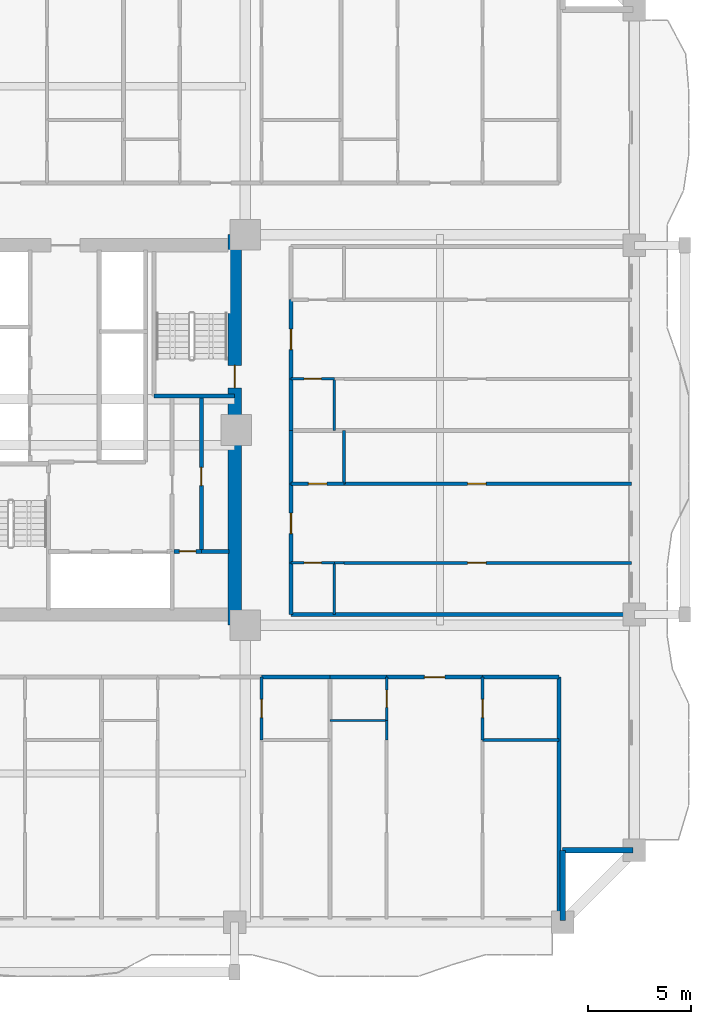
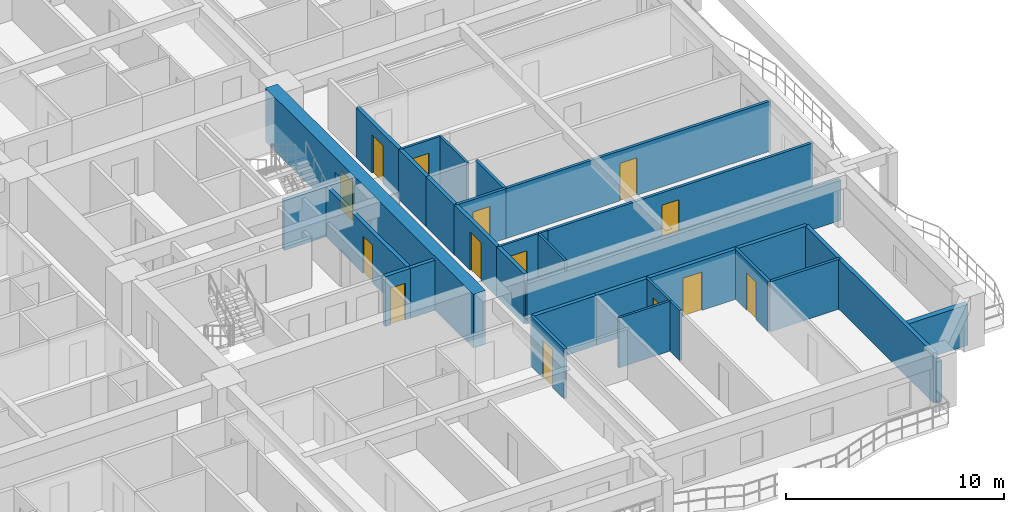
# One storey, part 5 of 16: 33 walls, 14 doors, 14 openings.
"""IFC4 building model written with IfcOpenShell, lengths in metres."""

from ifc_helpers import new_model, si_unit, direction, frame, frame_2d, origin, place, context, subcontext, project, spatial, rectangle, extrude, source, transform, mapped, material, layer, layer_set, type_object, element, fill, save


model = new_model("IFC4")

# Units and contexts
model_context = context("Model", 3, precision=1e-05, world=origin(), true_north=direction((0.0, 1.0)))
body_context = subcontext(model_context, "Body", "Model", "MODEL_VIEW")
ifc_project = project(units=[si_unit("LENGTHUNIT", "METRE"), si_unit("AREAUNIT", "SQUARE_METRE"), si_unit("VOLUMEUNIT", "CUBIC_METRE"), si_unit("PLANEANGLEUNIT", "RADIAN"), si_unit("MASSUNIT", "GRAM", prefix="KILO")], contexts=[model_context])

# Site, building, storey
site_placement = place(None, origin())
site = spatial("IfcSite", under=ifc_project, at=site_placement, CompositionType="ELEMENT")
building_placement = place(site_placement, origin())
building = spatial("IfcBuilding", under=site, at=building_placement, Name="Saelheon Loggia Tower", CompositionType="ELEMENT")
storey_placement = place(building_placement, frame((0.0, 0.0, 64.39990234375)))
storey = spatial("IfcBuildingStorey", under=building, at=storey_placement, Name="L20", CompositionType="ELEMENT", Elevation=64.39990234375)

# Wall, opening, door
ifc_material_1 = material(Name="Concrete C60/75", Category="concrete")
ifc_layer_1 = layer(ifc_material_1, 0.64990234375)
ifc_layer_set_1 = layer_set([ifc_layer_1], Name="Concrete C60/75")
wall_type_1 = type_object("IfcWallType", Name="Wall_CoreShear_650", PredefinedType="SHEAR", material=ifc_layer_set_1)
wall_1_placement = place(storey_placement, frame((44.5, 17.47998046875, 0.0), z_axis=(0.0, 0.0, 1.0), x_axis=(0.0, 1.0, 0.0)))
wall_1 = element("IfcWall", 1, at=wall_1_placement, inside=storey, type_object=wall_type_1, Name="L20 Core Shear Wall East", PredefinedType="SHEAR", context=body_context, shape_type="SweptSolid", body=[
    extrude(rectangle(XDim=19.0400390625, YDim=0.64990234375, at=frame_2d((9.52001953125, 0.0))), origin(), (0.0, 0.0, 1.0), 3.0),
])
opening_1_placement = place(wall_1_placement, frame((12.670166015625, 0.0, 0.0), z_axis=(0.0, 0.0, 1.0), x_axis=(-1.0, 0.0, 0.0)))
opening_1 = element("IfcOpeningElement", 2, at=opening_1_placement, cuts=wall_1, Name="Opening D-FD2", PredefinedType="OPENING", context=body_context, shape_type="SweptSolid", body=[
    extrude(rectangle(XDim=1.10009765625, YDim=2.14990234375, at=frame_2d((0.550048828125, 1.074951171875))), frame((0.0, 0.3369140625, 0.0), z_axis=(0.0, -1.0, 0.0), x_axis=(1.0, 0.0, 0.0)), (0.0, 0.0, 1.0), 0.673828125),
])
ifc_material_2 = material(Name="Galvanised Steel Fire Door", Category="steel")
door_type_1 = type_object("IfcDoorType", Name="Door_Fire_FD60_1100", OperationType="NOTDEFINED", PredefinedType="DOOR", material=ifc_material_2)
shared_shape_1 = source(origin(), body_context, "Body", "SweptSolid", [
    extrude(rectangle(XDim=1.10009765625, YDim=2.14990234375, at=frame_2d((0.550048828125, 1.074951171875))), frame((0.0, 0.02490234375, 0.0), z_axis=(0.0, -1.0, 0.0), x_axis=(1.0, 0.0, 0.0)), (0.0, 0.0, 1.0), 0.050048828125),
])
door_1_placement = place(opening_1_placement, origin())
door_1 = element("IfcDoor", 3, at=door_1_placement, inside=storey, type_object=door_type_1, Name="L20 Stair ST2 Corridor Door", OperationType="SINGLE_SWING_RIGHT", OverallHeight=2.14990234375, OverallWidth=1.10009765625, PredefinedType="DOOR", context=body_context, shape_type="MappedRepresentation", body=[
    mapped(shared_shape_1, transform((0.0, 0.0, 0.0), scale=1.0)),
])
fill(opening_1, door_1)

# Walls
ifc_material_3 = material(Name="Architectural Precast Concrete C40/50", Category="concrete")
ifc_layer_2 = layer(ifc_material_3, 0.280029296875)
ifc_layer_set_2 = layer_set([ifc_layer_2], Name="Architectural Precast Concrete C40/50")
wall_type_2 = type_object("IfcWallType", Name="Wall_Ext_Loggia_280", PredefinedType="SOLIDWALL", material=ifc_layer_set_2)
for number, where, z_axis, x_axis, name in (
    (4, (60.5, 3.080078125, 0.0), (0.0, 0.0, 1.0), (0.0, 1.0, 0.0), "L20 Corner Notch Precast Wall SE1"),
    (5, (60.5, 6.5, 0.0), (0.0, 0.0, 1.0), (1.0, 0.0, 0.0), "L20 Corner Notch Precast Wall SE2"),
):
    element("IfcWall", number, at=place(storey_placement, frame(where, z_axis=z_axis, x_axis=x_axis)), inside=storey, type_object=wall_type_2, Name=name, PredefinedType="SOLIDWALL", context=body_context, shape_type="SweptSolid", body=[
        extrude(rectangle(XDim=3.419921875, YDim=0.280029296875, at=frame_2d((1.7099609375, 0.0))), origin(), (0.0, 0.0, 1.0), 2.280029296875),
    ])

# Wall, opening, door
ifc_material_4 = material(Name="Lightweight Autoclaved Aerated Concrete Block and Acoustic Gypsum", Category="concrete")
ifc_layer_3 = layer(ifc_material_4, 0.14990234375)
ifc_layer_set_3 = layer_set([ifc_layer_3], Name="Lightweight Autoclaved Aerated Concrete Block and Acoustic Gypsum")
wall_type_3 = type_object("IfcWallType", Name="Wall_Part_150", PredefinedType="PARTITIONING", material=ifc_layer_set_3)
wall_2_placement = place(storey_placement, frame((45.820068359375, 14.949951171875, 0.0), z_axis=(0.0, 0.0, 1.0), x_axis=(0.0, -1.0, 0.0)))
wall_2 = element("IfcWall", 6, at=wall_2_placement, inside=storey, type_object=wall_type_3, Name="L20 S Partition U33", PredefinedType="PARTITIONING", context=body_context, shape_type="SweptSolid", body=[
    extrude(rectangle(XDim=3.070068359375, YDim=0.14990234375, at=frame_2d((1.53515625, 0.0))), origin(), (0.0, 0.0, 1.0), 2.7900390625),
])
opening_2_placement = place(wall_2_placement, frame((1.0849609375, 0.0, 0.0)))
opening_2 = element("IfcOpeningElement", 7, at=opening_2_placement, cuts=wall_2, Name="Opening D-IN2", PredefinedType="OPENING", context=body_context, shape_type="SweptSolid", body=[
    extrude(rectangle(XDim=0.89990234375, YDim=2.10009765625, at=frame_2d((0.449951171875, 1.050048828125))), frame((0.0, 0.0869140625, 0.0), z_axis=(0.0, -1.0, 0.0), x_axis=(1.0, 0.0, 0.0)), (0.0, 0.0, 1.0), 0.173828125),
])
ifc_material_5 = material(Name="Engineered Oak Flush Door", Category="timber")
door_type_2 = type_object("IfcDoorType", Name="Door_Int_900", OperationType="NOTDEFINED", PredefinedType="DOOR", material=ifc_material_5)
shared_shape_2 = source(origin(), body_context, "Body", "SweptSolid", [
    extrude(rectangle(XDim=0.89990234375, YDim=2.10009765625, at=frame_2d((0.449951171875, 1.050048828125))), frame((0.0, 0.02490234375, 0.0), z_axis=(0.0, -1.0, 0.0), x_axis=(1.0, 0.0, 0.0)), (0.0, 0.0, 1.0), 0.050048828125),
])
door_2_placement = place(opening_2_placement, origin())
door_2 = element("IfcDoor", 8, at=door_2_placement, inside=storey, type_object=door_type_2, Name="Unit U03 Dressing Closet Door", OperationType="SINGLE_SWING_LEFT", OverallHeight=2.10009765625, OverallWidth=0.89990234375, PredefinedType="DOOR", context=body_context, shape_type="MappedRepresentation", body=[
    mapped(shared_shape_2, transform((0.0, 0.0, 0.0), scale=1.0)),
])
fill(opening_2, door_2)

# Wall
wall_3_placement = place(storey_placement, frame((56.59716796875, 11.8798828125, 0.0), z_axis=(0.0, 0.0, 1.0), x_axis=(1.0, 0.0, 0.0)))
element("IfcWall", 9, at=wall_3_placement, inside=storey, type_object=wall_type_3, Name="L20 S Partition V40", PredefinedType="PARTITIONING", context=body_context, shape_type="SweptSolid", body=[
    extrude(rectangle(XDim=3.722900390625, YDim=0.14990234375, at=frame_2d((1.861328125, 0.0))), origin(), (0.0, 0.0, 1.0), 2.7900390625),
])

# Wall, opening, door
wall_4_placement = place(storey_placement, frame((56.59716796875, 14.949951171875, 0.0), z_axis=(0.0, 0.0, 1.0), x_axis=(0.0, -1.0, 0.0)))
wall_4 = element("IfcWall", 10, at=wall_4_placement, inside=storey, type_object=wall_type_3, Name="L20 S Partition U44", PredefinedType="PARTITIONING", context=body_context, shape_type="SweptSolid", body=[
    extrude(rectangle(XDim=3.070068359375, YDim=0.14990234375, at=frame_2d((1.53515625, 0.0))), origin(), (0.0, 0.0, 1.0), 2.7900390625),
])
opening_3_placement = place(wall_4_placement, frame((1.0849609375, 0.0, 0.0)))
opening_3 = element("IfcOpeningElement", 11, at=opening_3_placement, cuts=wall_4, Name="Opening D-IN2", PredefinedType="OPENING", context=body_context, shape_type="SweptSolid", body=[
    extrude(rectangle(XDim=0.89990234375, YDim=2.10009765625, at=frame_2d((0.449951171875, 1.050048828125))), frame((0.0, 0.0869140625, 0.0), z_axis=(0.0, -1.0, 0.0), x_axis=(1.0, 0.0, 0.0)), (0.0, 0.0, 1.0), 0.173828125),
])
door_3_placement = place(opening_3_placement, origin())
door_3 = element("IfcDoor", 12, at=door_3_placement, inside=storey, type_object=door_type_2, Name="Unit U04 Dressing Closet Door", OperationType="SINGLE_SWING_RIGHT", OverallHeight=2.10009765625, OverallWidth=0.89990234375, PredefinedType="DOOR", context=body_context, shape_type="MappedRepresentation", body=[
    mapped(shared_shape_2, transform((0.0, 0.0, 0.0), scale=1.0)),
])
fill(opening_3, door_3)

# Wall
wall_5_placement = place(storey_placement, frame((49.840087890625, 24.375, 0.0), z_axis=(0.0, 0.0, 1.0), x_axis=(0.0, 1.0, 0.0)))
element("IfcWall", 13, at=wall_5_placement, inside=storey, type_object=wall_type_3, Name="L20 E Partition V07", PredefinedType="PARTITIONING", context=body_context, shape_type="SweptSolid", body=[
    extrude(rectangle(XDim=2.60009765625, YDim=0.14990234375, at=frame_2d((1.300048828125, 0.0))), origin(), (0.0, 0.0, 1.0), 2.7900390625),
])

# Wall, opening, door
wall_6_placement = place(storey_placement, frame((49.840087890625, 20.512939453125, 0.0), z_axis=(0.0, 0.0, 1.0), x_axis=(1.0, 0.0, 0.0)))
wall_6 = element("IfcWall", 14, at=wall_6_placement, inside=storey, type_object=wall_type_3, Name="L20 E Partition U10", PredefinedType="PARTITIONING", context=body_context, shape_type="SweptSolid", body=[
    extrude(rectangle(XDim=14.010009765625, YDim=0.14990234375, at=frame_2d((7.0048828125, 0.0))), origin(), (0.0, 0.0, 1.0), 2.7900390625),
])
opening_4_placement = place(wall_6_placement, frame((6.02880859375, 0.0, 0.0)))
opening_4 = element("IfcOpeningElement", 15, at=opening_4_placement, cuts=wall_6, Name="Opening D-IN2", PredefinedType="OPENING", context=body_context, shape_type="SweptSolid", body=[
    extrude(rectangle(XDim=0.89990234375, YDim=2.10009765625, at=frame_2d((0.449951171875, 1.050048828125))), frame((0.0, 0.0869140625, 0.0), z_axis=(0.0, -1.0, 0.0), x_axis=(1.0, 0.0, 0.0)), (0.0, 0.0, 1.0), 0.173828125),
])
door_4_placement = place(opening_4_placement, origin())
door_4 = element("IfcDoor", 16, at=door_4_placement, inside=storey, type_object=door_type_2, Name="Unit U11 Kitchen Door", OperationType="SINGLE_SWING_LEFT", OverallHeight=2.10009765625, OverallWidth=0.89990234375, PredefinedType="DOOR", context=body_context, shape_type="MappedRepresentation", body=[
    mapped(shared_shape_2, transform((0.0, 0.0, 0.0), scale=1.0)),
])
fill(opening_4, door_4)

wall_7_placement = place(storey_placement, frame((47.25, 24.375, 0.0), z_axis=(0.0, 0.0, 1.0), x_axis=(1.0, 0.0, 0.0)))
wall_7 = element("IfcWall", 17, at=wall_7_placement, inside=storey, type_object=wall_type_3, Name="L20 E Partition U11", PredefinedType="PARTITIONING", context=body_context, shape_type="SweptSolid", body=[
    extrude(rectangle(XDim=2.590087890625, YDim=0.14990234375, at=frame_2d((1.294921875, 0.0))), origin(), (0.0, 0.0, 1.0), 2.7900390625),
])
opening_5_placement = place(wall_7_placement, frame((0.844970703125, 0.0, 0.0)))
opening_5 = element("IfcOpeningElement", 18, at=opening_5_placement, cuts=wall_7, Name="Opening D-IN2", PredefinedType="OPENING", context=body_context, shape_type="SweptSolid", body=[
    extrude(rectangle(XDim=0.89990234375, YDim=2.10009765625, at=frame_2d((0.449951171875, 1.050048828125))), frame((0.0, 0.0869140625, 0.0), z_axis=(0.0, -1.0, 0.0), x_axis=(1.0, 0.0, 0.0)), (0.0, 0.0, 1.0), 0.173828125),
])
door_5_placement = place(opening_5_placement, origin())
door_5 = element("IfcDoor", 19, at=door_5_placement, inside=storey, type_object=door_type_2, Name="Unit U11 Dressing Closet Door", OperationType="SINGLE_SWING_RIGHT", OverallHeight=2.10009765625, OverallWidth=0.89990234375, PredefinedType="DOOR", context=body_context, shape_type="MappedRepresentation", body=[
    mapped(shared_shape_2, transform((0.0, 0.0, 0.0), scale=1.0)),
])
fill(opening_5, door_5)

wall_8_placement = place(storey_placement, frame((49.840087890625, 24.375, 0.0), z_axis=(0.0, 0.0, 1.0), x_axis=(1.0, 0.0, 0.0)))
wall_8 = element("IfcWall", 20, at=wall_8_placement, inside=storey, type_object=wall_type_3, Name="L20 E Partition U12", PredefinedType="PARTITIONING", context=body_context, shape_type="SweptSolid", body=[
    extrude(rectangle(XDim=14.010009765625, YDim=0.14990234375, at=frame_2d((7.0048828125, 0.0))), origin(), (0.0, 0.0, 1.0), 2.7900390625),
])
opening_6_placement = place(wall_8_placement, frame((6.02880859375, 0.0, 0.0)))
opening_6 = element("IfcOpeningElement", 21, at=opening_6_placement, cuts=wall_8, Name="Opening D-IN2", PredefinedType="OPENING", context=body_context, shape_type="SweptSolid", body=[
    extrude(rectangle(XDim=0.89990234375, YDim=2.10009765625, at=frame_2d((0.449951171875, 1.050048828125))), frame((0.0, 0.0869140625, 0.0), z_axis=(0.0, -1.0, 0.0), x_axis=(1.0, 0.0, 0.0)), (0.0, 0.0, 1.0), 0.173828125),
])
door_6_placement = place(opening_6_placement, origin())
door_6 = element("IfcDoor", 22, at=door_6_placement, inside=storey, type_object=door_type_2, Name="Unit U11 Bedroom 1 Door", OperationType="SINGLE_SWING_LEFT", OverallHeight=2.10009765625, OverallWidth=0.89990234375, PredefinedType="DOOR", context=body_context, shape_type="MappedRepresentation", body=[
    mapped(shared_shape_2, transform((0.0, 0.0, 0.0), scale=1.0)),
])
fill(opening_6, door_6)

# Walls
ifc_material_6 = material(Name="Double Acoustic Stud and Fireboard Partition", Category="gypsum")
ifc_layer_4 = layer(ifc_material_6, 0.199951171875)
ifc_layer_set_4 = layer_set([ifc_layer_4], Name="Double Acoustic Stud and Fireboard Partition")
wall_type_4 = type_object("IfcWallType", Name="Wall_Party_200", PredefinedType="PARTITIONING", material=ifc_layer_set_4)
wall_9_placement = place(storey_placement, frame((60.320068359375, 14.949951171875, 0.0), z_axis=(0.0, 0.0, 1.0), x_axis=(0.0, -1.0, 0.0)))
element("IfcWall", 23, at=wall_9_placement, inside=storey, type_object=wall_type_4, Name="L20 S Partition U02", PredefinedType="PARTITIONING", context=body_context, shape_type="SweptSolid", body=[
    extrude(rectangle(XDim=11.800048828125, YDim=0.199951171875, at=frame_2d((5.89990234375, 0.0))), origin(), (0.0, 0.0, 1.0), 2.7900390625),
])
wall_10_placement = place(storey_placement, frame((45.820068359375, 14.949951171875, 0.0), z_axis=(0.0, 0.0, 1.0), x_axis=(1.0, 0.0, 0.0)))
element("IfcWall", 24, at=wall_10_placement, inside=storey, type_object=wall_type_4, Name="L20 S Partition V27", PredefinedType="PARTITIONING", context=body_context, shape_type="SweptSolid", body=[
    extrude(rectangle(XDim=3.33984375, YDim=0.199951171875, at=frame_2d((1.669921875, 0.0))), origin(), (0.0, 0.0, 1.0), 2.7900390625),
])
wall_11_placement = place(storey_placement, frame((49.159912109375, 14.949951171875, 0.0), z_axis=(0.0, 0.0, 1.0), x_axis=(1.0, 0.0, 0.0)))
element("IfcWall", 25, at=wall_11_placement, inside=storey, type_object=wall_type_4, Name="L20 S Partition V36", PredefinedType="PARTITIONING", context=body_context, shape_type="SweptSolid", body=[
    extrude(rectangle(XDim=2.75, YDim=0.199951171875, at=frame_2d((1.375, 0.0))), origin(), (0.0, 0.0, 1.0), 2.7900390625),
])

# Wall, opening, door
wall_12_placement = place(storey_placement, frame((51.909912109375, 14.949951171875, 0.0), z_axis=(0.0, 0.0, 1.0), x_axis=(1.0, 0.0, 0.0)))
wall_12 = element("IfcWall", 26, at=wall_12_placement, inside=storey, type_object=wall_type_4, Name="L20 S Partition V37", PredefinedType="PARTITIONING", context=body_context, shape_type="SweptSolid", body=[
    extrude(rectangle(XDim=4.687255859375, YDim=0.199951171875, at=frame_2d((2.34375, 0.0))), origin(), (0.0, 0.0, 1.0), 2.7900390625),
])
opening_7_placement = place(wall_12_placement, frame((1.843505859375, 0.0, 0.0)))
opening_7 = element("IfcOpeningElement", 27, at=opening_7_placement, cuts=wall_12, Name="Opening D-FD1", PredefinedType="OPENING", context=body_context, shape_type="SweptSolid", body=[
    extrude(rectangle(XDim=1.0, YDim=2.14990234375, at=frame_2d((0.5, 1.074951171875))), frame((0.0, 0.112060546875, 0.0), z_axis=(0.0, -1.0, 0.0), x_axis=(1.0, 0.0, 0.0)), (0.0, 0.0, 1.0), 0.223876953125),
])
ifc_material_7 = material(Name="Fire-Rated Engineered Timber Entrance Door", Category="wood")
door_type_3 = type_object("IfcDoorType", Name="Door_Flat_FD30S", OperationType="NOTDEFINED", PredefinedType="DOOR", material=ifc_material_7)
shared_shape_3 = source(origin(), body_context, "Body", "SweptSolid", [
    extrude(rectangle(XDim=1.0, YDim=2.14990234375, at=frame_2d((0.5, 1.074951171875))), frame((0.0, 0.02490234375, 0.0), z_axis=(0.0, -1.0, 0.0), x_axis=(1.0, 0.0, 0.0)), (0.0, 0.0, 1.0), 0.050048828125),
])
door_7_placement = place(opening_7_placement, origin())
door_7 = element("IfcDoor", 28, at=door_7_placement, inside=storey, type_object=door_type_3, Name="Unit U04 Entrance Door", OperationType="SINGLE_SWING_LEFT", OverallHeight=2.14990234375, OverallWidth=1.0, PredefinedType="DOOR", context=body_context, shape_type="MappedRepresentation", body=[
    mapped(shared_shape_3, transform((0.0, 0.0, 0.0), scale=1.0)),
])
fill(opening_7, door_7)

# Walls
wall_13_placement = place(storey_placement, frame((56.59716796875, 14.949951171875, 0.0), z_axis=(0.0, 0.0, 1.0), x_axis=(1.0, 0.0, 0.0)))
element("IfcWall", 29, at=wall_13_placement, inside=storey, type_object=wall_type_4, Name="L20 S Partition V38", PredefinedType="PARTITIONING", context=body_context, shape_type="SweptSolid", body=[
    extrude(rectangle(XDim=3.722900390625, YDim=0.199951171875, at=frame_2d((1.861328125, 0.0))), origin(), (0.0, 0.0, 1.0), 2.7900390625),
])
wall_14_placement = place(storey_placement, frame((47.25, 18.0, 0.0), z_axis=(0.0, 0.0, 1.0), x_axis=(1.0, 0.0, 0.0)))
element("IfcWall", 30, at=wall_14_placement, inside=storey, type_object=wall_type_4, Name="L20 E Partition U01", PredefinedType="PARTITIONING", context=body_context, shape_type="SweptSolid", body=[
    extrude(rectangle(XDim=16.60009765625, YDim=0.199951171875, at=frame_2d((8.300048828125, 0.0))), origin(), (0.0, 0.0, 1.0), 2.239990234375),
])
wall_15_placement = place(storey_placement, frame((47.25, 18.0, 0.0), z_axis=(0.0, 0.0, 1.0), x_axis=(0.0, 1.0, 0.0)))
element("IfcWall", 31, at=wall_15_placement, inside=storey, type_object=wall_type_4, Name="L20 E Partition V03", PredefinedType="PARTITIONING", context=body_context, shape_type="SweptSolid", body=[
    extrude(rectangle(XDim=2.512939453125, YDim=0.199951171875, at=frame_2d((1.25634765625, 0.0))), origin(), (0.0, 0.0, 1.0), 2.7900390625),
])

# Wall, opening, door
wall_16_placement = place(storey_placement, frame((47.25, 20.512939453125, 0.0), z_axis=(0.0, 0.0, 1.0), x_axis=(0.0, 1.0, 0.0)))
wall_16 = element("IfcWall", 32, at=wall_16_placement, inside=storey, type_object=wall_type_4, Name="L20 E Partition V04", PredefinedType="PARTITIONING", context=body_context, shape_type="SweptSolid", body=[
    extrude(rectangle(XDim=3.862060546875, YDim=0.199951171875, at=frame_2d((1.93115234375, 0.0))), origin(), (0.0, 0.0, 1.0), 2.7900390625),
])
opening_8_placement = place(wall_16_placement, frame((1.430908203125, 0.0, 0.0)))
opening_8 = element("IfcOpeningElement", 33, at=opening_8_placement, cuts=wall_16, Name="Opening D-FD1", PredefinedType="OPENING", context=body_context, shape_type="SweptSolid", body=[
    extrude(rectangle(XDim=1.0, YDim=2.14990234375, at=frame_2d((0.5, 1.074951171875))), frame((0.0, 0.112060546875, 0.0), z_axis=(0.0, -1.0, 0.0), x_axis=(1.0, 0.0, 0.0)), (0.0, 0.0, 1.0), 0.223876953125),
])
door_8_placement = place(opening_8_placement, origin())
door_8 = element("IfcDoor", 34, at=door_8_placement, inside=storey, type_object=door_type_3, Name="Unit U11 Entrance Door", OperationType="SINGLE_SWING_LEFT", OverallHeight=2.14990234375, OverallWidth=1.0, PredefinedType="DOOR", context=body_context, shape_type="MappedRepresentation", body=[
    mapped(shared_shape_3, transform((0.0, 0.0, 0.0), scale=1.0)),
])
fill(opening_8, door_8)

# Walls
wall_17_placement = place(storey_placement, frame((47.25, 24.375, 0.0), z_axis=(0.0, 0.0, 1.0), x_axis=(0.0, 1.0, 0.0)))
element("IfcWall", 35, at=wall_17_placement, inside=storey, type_object=wall_type_4, Name="L20 E Partition V05", PredefinedType="PARTITIONING", context=body_context, shape_type="SweptSolid", body=[
    extrude(rectangle(XDim=2.60009765625, YDim=0.199951171875, at=frame_2d((1.300048828125, 0.0))), origin(), (0.0, 0.0, 1.0), 2.7900390625),
])
wall_18_placement = place(storey_placement, frame((47.25, 26.97509765625, 0.0), z_axis=(0.0, 0.0, 1.0), x_axis=(0.0, 1.0, 0.0)))
element("IfcWall", 36, at=wall_18_placement, inside=storey, type_object=wall_type_4, Name="L20 E Partition V14", PredefinedType="PARTITIONING", context=body_context, shape_type="SweptSolid", body=[
    extrude(rectangle(XDim=2.512939453125, YDim=0.199951171875, at=frame_2d((1.25634765625, 0.0))), origin(), (0.0, 0.0, 1.0), 2.7900390625),
])

# Wall, opening, door
wall_19_placement = place(storey_placement, frame((47.25, 29.488037109375, 0.0), z_axis=(0.0, 0.0, 1.0), x_axis=(0.0, 1.0, 0.0)))
wall_19 = element("IfcWall", 37, at=wall_19_placement, inside=storey, type_object=wall_type_4, Name="L20 E Partition V15", PredefinedType="PARTITIONING", context=body_context, shape_type="SweptSolid", body=[
    extrude(rectangle(XDim=3.862060546875, YDim=0.199951171875, at=frame_2d((1.93115234375, 0.0))), origin(), (0.0, 0.0, 1.0), 2.7900390625),
])
opening_9_placement = place(wall_19_placement, frame((1.430908203125, 0.0, 0.0)))
opening_9 = element("IfcOpeningElement", 38, at=opening_9_placement, cuts=wall_19, Name="Opening D-FD1", PredefinedType="OPENING", context=body_context, shape_type="SweptSolid", body=[
    extrude(rectangle(XDim=1.0, YDim=2.14990234375, at=frame_2d((0.5, 1.074951171875))), frame((0.0, 0.112060546875, 0.0), z_axis=(0.0, -1.0, 0.0), x_axis=(1.0, 0.0, 0.0)), (0.0, 0.0, 1.0), 0.223876953125),
])
door_9_placement = place(opening_9_placement, origin())
door_9 = element("IfcDoor", 39, at=door_9_placement, inside=storey, type_object=door_type_3, Name="Unit U12 Entrance Door", OperationType="SINGLE_SWING_RIGHT", OverallHeight=2.14990234375, OverallWidth=1.0, PredefinedType="DOOR", context=body_context, shape_type="MappedRepresentation", body=[
    mapped(shared_shape_3, transform((0.0, 0.0, 0.0), scale=1.0)),
])
fill(opening_9, door_9)

ifc_material_8 = material(Name="Concrete C40/50", Category="concrete")
ifc_layer_5 = layer(ifc_material_8, 0.199951171875)
ifc_layer_set_5 = layer_set([ifc_layer_5], Name="Concrete C40/50")
wall_type_5 = type_object("IfcWallType", Name="Wall_Shaft_200", PredefinedType="PARTITIONING", material=ifc_layer_set_5)
wall_20_placement = place(storey_placement, frame((41.550048828125, 21.080078125, 0.0), z_axis=(0.0, 0.0, 1.0), x_axis=(1.0, 0.0, 0.0)))
wall_20 = element("IfcWall", 40, at=wall_20_placement, inside=storey, type_object=wall_type_5, Name="CW-BOH-L20-HS", PredefinedType="PARTITIONING", context=body_context, shape_type="SweptSolid", body=[
    extrude(rectangle(XDim=1.329833984375, YDim=0.199951171875, at=frame_2d((0.6650390625, 0.0))), origin(), (0.0, 0.0, 1.0), 2.7900390625),
])
opening_10_placement = place(wall_20_placement, frame((0.260009765625, 0.0, 0.0)))
opening_10 = element("IfcOpeningElement", 41, at=opening_10_placement, cuts=wall_20, Name="Opening D-ST1", PredefinedType="OPENING", context=body_context, shape_type="SweptSolid", body=[
    extrude(rectangle(XDim=0.800048828125, YDim=2.050048828125, at=frame_2d((0.39990234375, 1.02490234375))), frame((0.0, 0.112060546875, 0.0), z_axis=(0.0, -1.0, 0.0), x_axis=(1.0, 0.0, 0.0)), (0.0, 0.0, 1.0), 0.223876953125),
])
ifc_material_9 = material(Name="Powder-Coated Steel Store Door", Category="steel")
door_type_4 = type_object("IfcDoorType", Name="Door_Store_800", OperationType="NOTDEFINED", PredefinedType="DOOR", material=ifc_material_9)
shared_shape_4 = source(origin(), body_context, "Body", "SweptSolid", [
    extrude(rectangle(XDim=0.800048828125, YDim=2.050048828125, at=frame_2d((0.39990234375, 1.02490234375))), frame((0.0, 0.02490234375, 0.0), z_axis=(0.0, -1.0, 0.0), x_axis=(1.0, 0.0, 0.0)), (0.0, 0.0, 1.0), 0.050048828125),
])
door_10_placement = place(opening_10_placement, origin())
door_10 = element("IfcDoor", 42, at=door_10_placement, inside=storey, type_object=door_type_4, Name="L20 Electrical Riser Door", OperationType="SINGLE_SWING_LEFT", OverallHeight=2.050048828125, OverallWidth=0.800048828125, PredefinedType="DOOR", context=body_context, shape_type="MappedRepresentation", body=[
    mapped(shared_shape_4, transform((0.0, 0.0, 0.0), scale=1.0)),
])
fill(opening_10, door_10)

# Wall
wall_21_placement = place(storey_placement, frame((42.8798828125, 21.080078125, 0.0), z_axis=(0.0, 0.0, 1.0), x_axis=(1.0, 0.0, 0.0)))
element("IfcWall", 43, at=wall_21_placement, inside=storey, type_object=wall_type_5, Name="CW-BOH-L20-HS2", PredefinedType="PARTITIONING", context=body_context, shape_type="SweptSolid", body=[
    extrude(rectangle(XDim=1.340087890625, YDim=0.199951171875, at=frame_2d((0.669921875, 0.0))), origin(), (0.0, 0.0, 1.0), 2.7900390625),
])

# Wall, opening, door
wall_22_placement = place(storey_placement, frame((42.8798828125, 21.080078125, 0.0), z_axis=(0.0, 0.0, 1.0), x_axis=(0.0, 1.0, 0.0)))
wall_22 = element("IfcWall", 44, at=wall_22_placement, inside=storey, type_object=wall_type_5, Name="CW-BOH-L20-VS", PredefinedType="PARTITIONING", context=body_context, shape_type="SweptSolid", body=[
    extrude(rectangle(XDim=7.469970703125, YDim=0.199951171875, at=frame_2d((3.73486328125, 0.0))), origin(), (0.0, 0.0, 1.0), 2.7900390625),
])
opening_11_placement = place(wall_22_placement, frame((3.199951171875, 0.0, 0.0)))
opening_11 = element("IfcOpeningElement", 45, at=opening_11_placement, cuts=wall_22, Name="Opening D-RS1", PredefinedType="OPENING", context=body_context, shape_type="SweptSolid", body=[
    extrude(rectangle(XDim=0.89990234375, YDim=2.10009765625, at=frame_2d((0.449951171875, 1.050048828125))), frame((0.0, 0.112060546875, 0.0), z_axis=(0.0, -1.0, 0.0), x_axis=(1.0, 0.0, 0.0)), (0.0, 0.0, 1.0), 0.223876953125),
])
ifc_material_10 = material(Name="Galvanised Steel Riser Access Door", Category="steel")
door_type_5 = type_object("IfcDoorType", Name="Door_Riser_FD60", OperationType="NOTDEFINED", PredefinedType="DOOR", material=ifc_material_10)
door_11_placement = place(opening_11_placement, origin())
door_11 = element("IfcDoor", 46, at=door_11_placement, inside=storey, type_object=door_type_5, Name="L20 Linen Store Door", OperationType="SINGLE_SWING_RIGHT", OverallHeight=2.10009765625, OverallWidth=0.89990234375, PredefinedType="DOOR", context=body_context, shape_type="MappedRepresentation", body=[
    mapped(shared_shape_2, transform((0.0, 0.0, 0.0), scale=1.0)),
])
fill(opening_11, door_11)

# Walls
ifc_material_11 = material(Name="Concrete C45/55", Category="concrete")
ifc_layer_6 = layer(ifc_material_11, 0.199951171875)
ifc_layer_set_6 = layer_set([ifc_layer_6], Name="Concrete C45/55")
wall_type_6 = type_object("IfcWallType", Name="Wall_StairShaft_RC200", PredefinedType="SOLIDWALL", material=ifc_layer_set_6)
wall_23_placement = place(storey_placement, frame((40.570068359375, 28.64990234375, 0.0), z_axis=(0.0, 0.0, 1.0), x_axis=(1.0, 0.0, 0.0)))
element("IfcWall", 47, at=wall_23_placement, inside=storey, type_object=wall_type_6, Name="L20 Stair ST2 South Wall", PredefinedType="SOLIDWALL", context=body_context, shape_type="SweptSolid", body=[
    extrude(rectangle(XDim=3.929931640625, YDim=0.199951171875, at=frame_2d((1.96484375, 0.0))), origin(), (0.0, 0.0, 1.0), 2.7900390625),
])
ifc_material_12 = material(Name="Moisture-Resistant Cement Board Partition", Category="gypsum")
ifc_layer_7 = layer(ifc_material_12, 0.1201171875)
ifc_layer_set_7 = layer_set([ifc_layer_7], Name="Moisture-Resistant Cement Board Partition")
wall_type_7 = type_object("IfcWallType", Name="Wall_WetPart_120", PredefinedType="PARTITIONING", material=ifc_layer_set_7)
wall_24_placement = place(storey_placement, frame((49.159912109375, 12.830078125, 0.0), z_axis=(0.0, 0.0, 1.0), x_axis=(1.0, 0.0, 0.0)))
element("IfcWall", 48, at=wall_24_placement, inside=storey, type_object=wall_type_7, Name="L20 S Partition V39", PredefinedType="PARTITIONING", context=body_context, shape_type="SweptSolid", body=[
    extrude(rectangle(XDim=2.75, YDim=0.1201171875, at=frame_2d((1.375, 0.0))), origin(), (0.0, 0.0, 1.0), 2.7900390625),
])

# Wall, opening, door
wall_25_placement = place(storey_placement, frame((51.909912109375, 14.949951171875, 0.0), z_axis=(0.0, 0.0, 1.0), x_axis=(0.0, -1.0, 0.0)))
wall_25 = element("IfcWall", 49, at=wall_25_placement, inside=storey, type_object=wall_type_7, Name="L20 S Partition U41", PredefinedType="PARTITIONING", context=body_context, shape_type="SweptSolid", body=[
    extrude(rectangle(XDim=2.119873046875, YDim=0.1201171875, at=frame_2d((1.06005859375, 0.0))), origin(), (0.0, 0.0, 1.0), 2.7900390625),
])
opening_12_placement = place(wall_25_placement, frame((0.635009765625, 0.0, 0.0)))
opening_12 = element("IfcOpeningElement", 50, at=opening_12_placement, cuts=wall_25, Name="Opening D-BT1", PredefinedType="OPENING", context=body_context, shape_type="SweptSolid", body=[
    extrude(rectangle(XDim=0.85009765625, YDim=2.050048828125, at=frame_2d((0.425048828125, 1.02490234375))), frame((0.0, 0.072021484375, 0.0), z_axis=(0.0, -1.0, 0.0), x_axis=(1.0, 0.0, 0.0)), (0.0, 0.0, 1.0), 0.14404296875),
])
ifc_material_13 = material(Name="Moisture-Resistant Laminate Timber Door", Category="wood")
door_type_6 = type_object("IfcDoorType", Name="Door_Bath_850", OperationType="NOTDEFINED", PredefinedType="DOOR", material=ifc_material_13)
shared_shape_5 = source(origin(), body_context, "Body", "SweptSolid", [
    extrude(rectangle(XDim=0.85009765625, YDim=2.050048828125, at=frame_2d((0.425048828125, 1.02490234375))), frame((0.0, 0.02490234375, 0.0), z_axis=(0.0, -1.0, 0.0), x_axis=(1.0, 0.0, 0.0)), (0.0, 0.0, 1.0), 0.050048828125),
])
door_12_placement = place(opening_12_placement, origin())
door_12 = element("IfcDoor", 51, at=door_12_placement, inside=storey, type_object=door_type_6, Name="Unit U04 Bathroom Door", OperationType="SINGLE_SWING_RIGHT", OverallHeight=2.050048828125, OverallWidth=0.85009765625, PredefinedType="DOOR", context=body_context, shape_type="MappedRepresentation", body=[
    mapped(shared_shape_5, transform((0.0, 0.0, 0.0), scale=1.0)),
])
fill(opening_12, door_12)

# Walls
wall_26_placement = place(storey_placement, frame((51.909912109375, 12.830078125, 0.0), z_axis=(0.0, 0.0, 1.0), x_axis=(0.0, -1.0, 0.0)))
element("IfcWall", 52, at=wall_26_placement, inside=storey, type_object=wall_type_7, Name="L20 S Partition U42", PredefinedType="PARTITIONING", context=body_context, shape_type="SweptSolid", body=[
    extrude(rectangle(XDim=0.9501953125, YDim=0.1201171875, at=frame_2d((0.47509765625, 0.0))), origin(), (0.0, 0.0, 1.0), 2.7900390625),
])
wall_27_placement = place(storey_placement, frame((49.3701171875, 18.0, 0.0), z_axis=(0.0, 0.0, 1.0), x_axis=(0.0, 1.0, 0.0)))
element("IfcWall", 53, at=wall_27_placement, inside=storey, type_object=wall_type_7, Name="L20 E Partition V06", PredefinedType="PARTITIONING", context=body_context, shape_type="SweptSolid", body=[
    extrude(rectangle(XDim=2.512939453125, YDim=0.1201171875, at=frame_2d((1.25634765625, 0.0))), origin(), (0.0, 0.0, 1.0), 2.7900390625),
])

# Wall, opening, door
wall_28_placement = place(storey_placement, frame((47.25, 20.512939453125, 0.0), z_axis=(0.0, 0.0, 1.0), x_axis=(1.0, 0.0, 0.0)))
wall_28 = element("IfcWall", 54, at=wall_28_placement, inside=storey, type_object=wall_type_7, Name="L20 E Partition U08", PredefinedType="PARTITIONING", context=body_context, shape_type="SweptSolid", body=[
    extrude(rectangle(XDim=2.1201171875, YDim=0.1201171875, at=frame_2d((1.06005859375, 0.0))), origin(), (0.0, 0.0, 1.0), 2.7900390625),
])
opening_13_placement = place(wall_28_placement, frame((0.635009765625, 0.0, 0.0)))
opening_13 = element("IfcOpeningElement", 55, at=opening_13_placement, cuts=wall_28, Name="Opening D-BT1", PredefinedType="OPENING", context=body_context, shape_type="SweptSolid", body=[
    extrude(rectangle(XDim=0.85009765625, YDim=2.050048828125, at=frame_2d((0.425048828125, 1.02490234375))), frame((0.0, 0.072021484375, 0.0), z_axis=(0.0, -1.0, 0.0), x_axis=(1.0, 0.0, 0.0)), (0.0, 0.0, 1.0), 0.14404296875),
])
door_13_placement = place(opening_13_placement, origin())
door_13 = element("IfcDoor", 56, at=door_13_placement, inside=storey, type_object=door_type_6, Name="Unit U11 Bathroom Door", OperationType="SINGLE_SWING_RIGHT", OverallHeight=2.050048828125, OverallWidth=0.85009765625, PredefinedType="DOOR", context=body_context, shape_type="MappedRepresentation", body=[
    mapped(shared_shape_5, transform((0.0, 0.0, 0.0), scale=1.0)),
])
fill(opening_13, door_13)

# Walls
wall_29_placement = place(storey_placement, frame((49.3701171875, 20.512939453125, 0.0), z_axis=(0.0, 0.0, 1.0), x_axis=(1.0, 0.0, 0.0)))
element("IfcWall", 57, at=wall_29_placement, inside=storey, type_object=wall_type_7, Name="L20 E Partition U09", PredefinedType="PARTITIONING", context=body_context, shape_type="SweptSolid", body=[
    extrude(rectangle(XDim=0.469970703125, YDim=0.1201171875, at=frame_2d((0.23486328125, 0.0))), origin(), (0.0, 0.0, 1.0), 2.7900390625),
])
wall_30_placement = place(storey_placement, frame((49.3701171875, 26.97509765625, 0.0), z_axis=(0.0, 0.0, 1.0), x_axis=(0.0, 1.0, 0.0)))
element("IfcWall", 58, at=wall_30_placement, inside=storey, type_object=wall_type_7, Name="L20 E Partition V17", PredefinedType="PARTITIONING", context=body_context, shape_type="SweptSolid", body=[
    extrude(rectangle(XDim=2.512939453125, YDim=0.1201171875, at=frame_2d((1.25634765625, 0.0))), origin(), (0.0, 0.0, 1.0), 2.7900390625),
])

# Wall, opening, door
wall_31_placement = place(storey_placement, frame((47.25, 29.488037109375, 0.0), z_axis=(0.0, 0.0, 1.0), x_axis=(1.0, 0.0, 0.0)))
wall_31 = element("IfcWall", 59, at=wall_31_placement, inside=storey, type_object=wall_type_7, Name="L20 E Partition U19", PredefinedType="PARTITIONING", context=body_context, shape_type="SweptSolid", body=[
    extrude(rectangle(XDim=2.1201171875, YDim=0.1201171875, at=frame_2d((1.06005859375, 0.0))), origin(), (0.0, 0.0, 1.0), 2.7900390625),
])
opening_14_placement = place(wall_31_placement, frame((0.635009765625, 0.0, 0.0)))
opening_14 = element("IfcOpeningElement", 60, at=opening_14_placement, cuts=wall_31, Name="Opening D-BT1", PredefinedType="OPENING", context=body_context, shape_type="SweptSolid", body=[
    extrude(rectangle(XDim=0.85009765625, YDim=2.050048828125, at=frame_2d((0.425048828125, 1.02490234375))), frame((0.0, 0.072021484375, 0.0), z_axis=(0.0, -1.0, 0.0), x_axis=(1.0, 0.0, 0.0)), (0.0, 0.0, 1.0), 0.14404296875),
])
door_14_placement = place(opening_14_placement, origin())
door_14 = element("IfcDoor", 61, at=door_14_placement, inside=storey, type_object=door_type_6, Name="Unit U12 Bathroom Door", OperationType="SINGLE_SWING_LEFT", OverallHeight=2.050048828125, OverallWidth=0.85009765625, PredefinedType="DOOR", context=body_context, shape_type="MappedRepresentation", body=[
    mapped(shared_shape_5, transform((0.0, 0.0, 0.0), scale=1.0)),
])
fill(opening_14, door_14)

save(model, "model.ifc")
